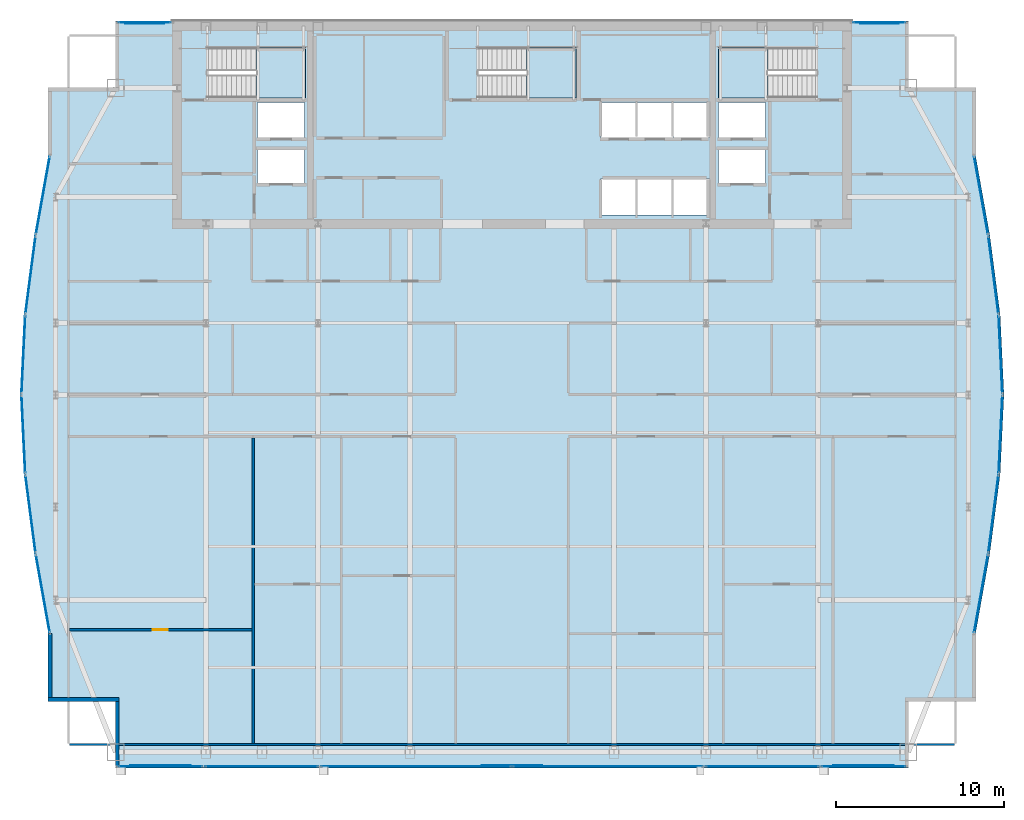
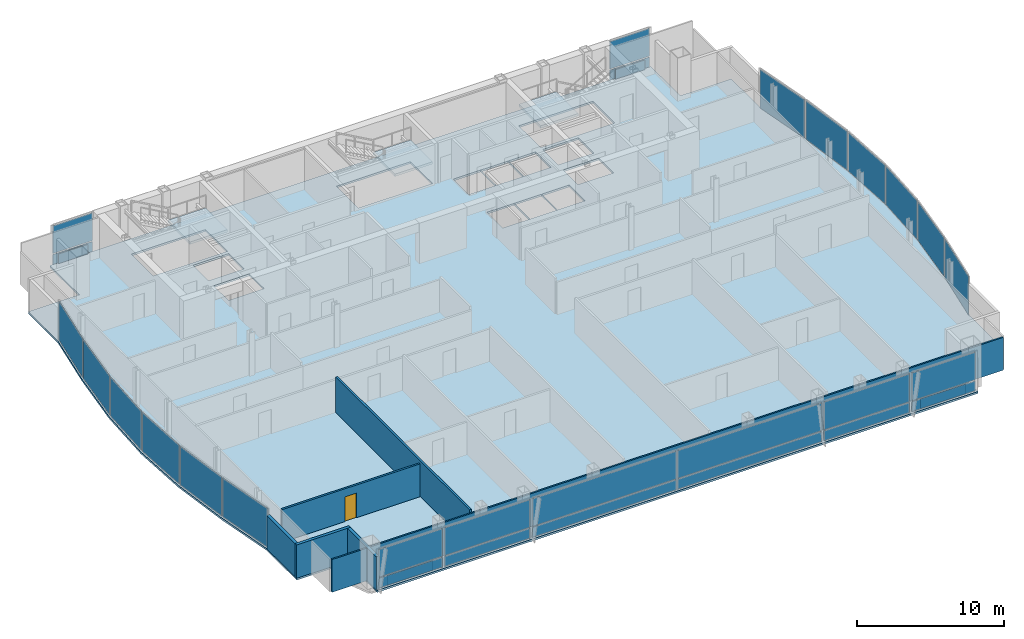
# One storey, part 24 of 30: 33 plates, 6 walls, 4 slabs, 1 door, 1 opening, 22 elements without a shape of their own.
"""IFC4 building model written with IfcOpenShell, lengths in metres."""

from ifc_helpers import new_model, si_unit, direction, frame, frame_2d, origin, origin_2d, place, context, subcontext, project, spatial, polyline, rectangle, outline, extrude, material, layer, layer_set, type_object, element, fill, aggregate, save


model = new_model("IFC4")

# Units and contexts
model_context = context("Model", 3, precision=1e-05, world=origin(), true_north=direction((0.0, 1.0)))
body_context = subcontext(model_context, "Body", "Model", "MODEL_VIEW")
ifc_project = project(units=[si_unit("LENGTHUNIT", "METRE"), si_unit("AREAUNIT", "SQUARE_METRE"), si_unit("VOLUMEUNIT", "CUBIC_METRE"), si_unit("PLANEANGLEUNIT", "RADIAN"), si_unit("MASSUNIT", "GRAM", prefix="KILO")], contexts=[model_context])

# Site, building, storey
site_placement = place(None, origin())
site = spatial("IfcSite", under=ifc_project, at=site_placement, CompositionType="ELEMENT")
building_placement = place(site_placement, origin())
building = spatial("IfcBuilding", under=site, at=building_placement, Name="Khoronbel Lancet Exchange", CompositionType="ELEMENT")
storey_placement = place(building_placement, frame((0.0, 0.0, 253.39990234375)))
storey = spatial("IfcBuildingStorey", under=building, at=storey_placement, Name="L65", CompositionType="ELEMENT", Elevation=253.39990234375)

# Curtain wall, plate
ifc_material_1 = material(Name="Low-E Solar Control Insulating Glass", Category="glass")
curtain_wall_type_1 = type_object("IfcCurtainWallType", Name="CW-4", PredefinedType="NOTDEFINED", material=ifc_material_1)
curtain_wall_1_placement = place(storey_placement, origin())
curtain_wall_1 = element("IfcCurtainWall", 1, at=curtain_wall_1_placement, inside=storey, type_object=curtain_wall_type_1, Name="Unitised curtain wall CW-L65-E05", PredefinedType="NOTDEFINED")
ifc_material_2 = material(Name="Bronze-Anodised Aluminium 6063-T6", Category="aluminium")
ifc_layer_1 = layer(ifc_material_2, 0.050048828125, Name="Bronze-Anodised Aluminium 6063-T6")
ifc_layer_set_1 = layer_set([ifc_layer_1], Name="Bronze-Anodised Aluminium 6063-T6")
plate_type_1 = type_object("IfcPlateType", Name="PLT-CSP1", PredefinedType="SHEET", material=ifc_layer_set_1)
plate_1_placement = place(storey_placement, frame((7.780517578125, 24.3359375, 0.085205078125), z_axis=(0.0, 0.0, 1.0), x_axis=(-0.129645653456, 0.991560388751, 0.0)))
plate_1 = element("IfcPlate", 2, at=plate_1_placement, type_object=plate_type_1, Name="CW4 panel 1.1", PredefinedType="CURTAIN_PANEL", context=body_context, shape_type="SweptSolid", body=[
    extrude(rectangle(XDim=4.634521484375, YDim=0.0380859375, at=origin_2d()), origin(), (0.0, 0.0, 1.0), 3.2099609375),
])
aggregate(curtain_wall_1, [plate_1])

curtain_wall_2_placement = place(storey_placement, origin())
curtain_wall_2 = element("IfcCurtainWall", 3, at=curtain_wall_2_placement, inside=storey, type_object=curtain_wall_type_1, Name="Unitised curtain wall CW-L65-E06", PredefinedType="NOTDEFINED")
plate_2_placement = place(storey_placement, frame((7.35693359375, 29.0791015625, 0.085205078125), z_axis=(0.0, 0.0, 1.0), x_axis=(-0.047794326923, 0.998857198159, 0.0)))
plate_2 = element("IfcPlate", 4, at=plate_2_placement, type_object=plate_type_1, Name="CW4 panel 1.1", PredefinedType="CURTAIN_PANEL", context=body_context, shape_type="SweptSolid", body=[
    extrude(rectangle(XDim=4.597412109375, YDim=0.0380859375, at=origin_2d()), origin(), (0.0, 0.0, 1.0), 3.2099609375),
])
aggregate(curtain_wall_2, [plate_2])

curtain_wall_3_placement = place(storey_placement, origin())
curtain_wall_3 = element("IfcCurtainWall", 5, at=curtain_wall_3_placement, inside=storey, type_object=curtain_wall_type_1, Name="Unitised curtain wall CW-L65-E07", PredefinedType="NOTDEFINED")
plate_3_placement = place(storey_placement, frame((7.35693359375, 33.821044921875, 0.085205078125), z_axis=(0.0, 0.0, 1.0), x_axis=(0.047794326923, 0.998857198159, 0.0)))
plate_3 = element("IfcPlate", 6, at=plate_3_placement, type_object=plate_type_1, Name="CW4 panel 1.1", PredefinedType="CURTAIN_PANEL", context=body_context, shape_type="SweptSolid", body=[
    extrude(rectangle(XDim=4.597412109375, YDim=0.0380859375, at=origin_2d()), origin(), (0.0, 0.0, 1.0), 3.2099609375),
])
aggregate(curtain_wall_3, [plate_3])

curtain_wall_4_placement = place(storey_placement, origin())
curtain_wall_4 = element("IfcCurtainWall", 7, at=curtain_wall_4_placement, inside=storey, type_object=curtain_wall_type_1, Name="Unitised curtain wall CW-L65-E08", PredefinedType="NOTDEFINED")
plate_4_placement = place(storey_placement, frame((7.780517578125, 38.564208984375, 0.085205078125), z_axis=(0.0, 0.0, 1.0), x_axis=(0.129645653456, 0.991560388751, 0.0)))
plate_4 = element("IfcPlate", 8, at=plate_4_placement, type_object=plate_type_1, Name="CW4 panel 1.1", PredefinedType="CURTAIN_PANEL", context=body_context, shape_type="SweptSolid", body=[
    extrude(rectangle(XDim=4.634521484375, YDim=0.0380859375, at=origin_2d()), origin(), (0.0, 0.0, 1.0), 3.2099609375),
])
aggregate(curtain_wall_4, [plate_4])

curtain_wall_type_2 = type_object("IfcCurtainWallType", Name="CW-3", PredefinedType="NOTDEFINED", material=ifc_material_1)
curtain_wall_5_placement = place(storey_placement, origin())
curtain_wall_5 = element("IfcCurtainWall", 9, at=curtain_wall_5_placement, inside=storey, type_object=curtain_wall_type_2, Name="Unitised curtain wall CW-L65-NWFLK", PredefinedType="NOTDEFINED")
plate_5_placement = place(storey_placement, frame((14.580078125, 53.550048828125, 0.05029296875), z_axis=(0.0, 0.0, 1.0), x_axis=(-1.0, 0.0, 0.0)))
plate_5 = element("IfcPlate", 10, at=plate_5_placement, type_object=plate_type_1, Name="Insulated bronze spandrel cassette CW-L65-NWFLK", PredefinedType="SHEET", context=body_context, shape_type="SweptSolid", body=[
    extrude(rectangle(XDim=2.2958984375, YDim=0.050048828125, at=origin_2d()), origin(), (0.0, 0.0, 1.0), 0.800048828125),
])

curtain_wall_6_placement = place(storey_placement, origin())
curtain_wall_6 = element("IfcCurtainWall", 11, at=curtain_wall_6_placement, inside=storey, type_object=curtain_wall_type_2, Name="Unitised curtain wall CW-L65-NEFLK", PredefinedType="NOTDEFINED")
plate_6_placement = place(storey_placement, frame((58.320068359375, 53.550048828125, 0.05029296875), z_axis=(0.0, 0.0, 1.0), x_axis=(-1.0, 0.0, 0.0)))
plate_6 = element("IfcPlate", 12, at=plate_6_placement, type_object=plate_type_1, Name="Insulated bronze spandrel cassette CW-L65-NEFLK", PredefinedType="SHEET", context=body_context, shape_type="SweptSolid", body=[
    extrude(rectangle(XDim=2.2958984375, YDim=0.050048828125, at=origin_2d()), origin(), (0.0, 0.0, 1.0), 0.800048828125),
])

curtain_wall_7_placement = place(storey_placement, origin())
curtain_wall_7 = element("IfcCurtainWall", 13, at=curtain_wall_7_placement, inside=storey, type_object=curtain_wall_type_1, Name="Unitised curtain wall CW-L65-E18", PredefinedType="NOTDEFINED")
plate_7_placement = place(storey_placement, frame((65.119384765625, 38.564208984375, 0.085205078125), z_axis=(0.0, 0.0, 1.0), x_axis=(0.129645653456, -0.991560388751, 0.0)))
plate_7 = element("IfcPlate", 14, at=plate_7_placement, type_object=plate_type_1, Name="CW4 panel 1.1", PredefinedType="CURTAIN_PANEL", context=body_context, shape_type="SweptSolid", body=[
    extrude(rectangle(XDim=4.634521484375, YDim=0.0380859375, at=origin_2d()), origin(), (0.0, 0.0, 1.0), 3.2099609375),
])
aggregate(curtain_wall_7, [plate_7])

curtain_wall_8_placement = place(storey_placement, origin())
curtain_wall_8 = element("IfcCurtainWall", 15, at=curtain_wall_8_placement, inside=storey, type_object=curtain_wall_type_1, Name="Unitised curtain wall CW-L65-E19", PredefinedType="NOTDEFINED")
plate_8_placement = place(storey_placement, frame((65.54296875, 33.821044921875, 0.085205078125), z_axis=(0.0, 0.0, 1.0), x_axis=(0.047794326923, -0.998857198159, 0.0)))
plate_8 = element("IfcPlate", 16, at=plate_8_placement, type_object=plate_type_1, Name="CW4 panel 1.1", PredefinedType="CURTAIN_PANEL", context=body_context, shape_type="SweptSolid", body=[
    extrude(rectangle(XDim=4.597412109375, YDim=0.0380859375, at=origin_2d()), origin(), (0.0, 0.0, 1.0), 3.2099609375),
])
aggregate(curtain_wall_8, [plate_8])

curtain_wall_9_placement = place(storey_placement, origin())
curtain_wall_9 = element("IfcCurtainWall", 17, at=curtain_wall_9_placement, inside=storey, type_object=curtain_wall_type_1, Name="Unitised curtain wall CW-L65-E20", PredefinedType="NOTDEFINED")
plate_9_placement = place(storey_placement, frame((65.54296875, 29.0791015625, 0.085205078125), z_axis=(0.0, 0.0, 1.0), x_axis=(-0.047794326923, -0.998857198159, 0.0)))
plate_9 = element("IfcPlate", 18, at=plate_9_placement, type_object=plate_type_1, Name="CW4 panel 1.1", PredefinedType="CURTAIN_PANEL", context=body_context, shape_type="SweptSolid", body=[
    extrude(rectangle(XDim=4.597412109375, YDim=0.0380859375, at=origin_2d()), origin(), (0.0, 0.0, 1.0), 3.2099609375),
])
aggregate(curtain_wall_9, [plate_9])

curtain_wall_10_placement = place(storey_placement, origin())
curtain_wall_10 = element("IfcCurtainWall", 19, at=curtain_wall_10_placement, inside=storey, type_object=curtain_wall_type_1, Name="Unitised curtain wall CW-L65-E21", PredefinedType="NOTDEFINED")
plate_10_placement = place(storey_placement, frame((65.119384765625, 24.3359375, 0.085205078125), z_axis=(0.0, 0.0, 1.0), x_axis=(-0.129645653456, -0.991560388751, 0.0)))
plate_10 = element("IfcPlate", 20, at=plate_10_placement, type_object=plate_type_1, Name="CW4 panel 1.1", PredefinedType="CURTAIN_PANEL", context=body_context, shape_type="SweptSolid", body=[
    extrude(rectangle(XDim=4.634521484375, YDim=0.0380859375, at=origin_2d()), origin(), (0.0, 0.0, 1.0), 3.2099609375),
])
aggregate(curtain_wall_10, [plate_10])

curtain_wall_11_placement = place(storey_placement, origin())
curtain_wall_11 = element("IfcCurtainWall", 21, at=curtain_wall_11_placement, inside=storey, type_object=curtain_wall_type_2, Name="Unitised curtain wall CW-L65-SWV", PredefinedType="NOTDEFINED")
plate_11_placement = place(storey_placement, frame((15.52001953125, 9.35009765625, 0.05029296875), z_axis=(0.0, 0.0, 1.0), x_axis=(1.0, 0.0, 0.0)))
plate_11 = element("IfcPlate", 22, at=plate_11_placement, type_object=plate_type_1, Name="Insulated bronze spandrel cassette CW-L65-SWV", PredefinedType="SHEET", context=body_context, shape_type="SweptSolid", body=[
    extrude(rectangle(XDim=3.60009765625, YDim=0.050048828125, at=origin_2d()), origin(), (0.0, 0.0, 1.0), 0.800048828125),
])

# Curtain wall, plates
curtain_wall_12_placement = place(storey_placement, origin())
curtain_wall_12 = element("IfcCurtainWall", 23, at=curtain_wall_12_placement, inside=storey, type_object=curtain_wall_type_2, Name="Unitised curtain wall CW-L65-SWB", PredefinedType="NOTDEFINED")
plate_12_placement = place(storey_placement, frame((21.550048828125, 9.2900390625, 0.0849609375), z_axis=(0.0, 0.0, 1.0), x_axis=(1.0, 0.0, 0.0)))
plate_12 = element("IfcPlate", 24, at=plate_12_placement, type_object=plate_type_1, Name="CW3 panel 1.1", PredefinedType="CURTAIN_PANEL", context=body_context, shape_type="SweptSolid", body=[
    extrude(rectangle(XDim=6.72998046875, YDim=0.0380859375, at=origin_2d()), origin(), (0.0, 0.0, 1.0), 0.822509765625),
])
plate_13_placement = place(storey_placement, frame((21.550048828125, 9.2900390625, 0.99267578125), z_axis=(0.0, 0.0, 1.0), x_axis=(1.0, 0.0, 0.0)))
plate_13 = element("IfcPlate", 25, at=plate_13_placement, type_object=plate_type_1, Name="CW3 panel 1.2", PredefinedType="CURTAIN_PANEL", context=body_context, shape_type="SweptSolid", body=[
    extrude(rectangle(XDim=6.72998046875, YDim=0.0380859375, at=origin_2d()), origin(), (0.0, 0.0, 1.0), 2.302490234375),
])
aggregate(curtain_wall_12, [plate_12, plate_13])

# Curtain wall, plate
curtain_wall_13_placement = place(storey_placement, origin())
curtain_wall_13 = element("IfcCurtainWall", 26, at=curtain_wall_13_placement, inside=storey, type_object=curtain_wall_type_2, Name="Unitised curtain wall CW-L65-SCV", PredefinedType="NOTDEFINED")
plate_14_placement = place(storey_placement, frame((36.449951171875, 9.35009765625, 0.05029296875), z_axis=(0.0, 0.0, 1.0), x_axis=(1.0, 0.0, 0.0)))
plate_14 = element("IfcPlate", 27, at=plate_14_placement, type_object=plate_type_1, Name="Insulated bronze spandrel cassette CW-L65-SCV", PredefinedType="SHEET", context=body_context, shape_type="SweptSolid", body=[
    extrude(rectangle(XDim=3.60009765625, YDim=0.050048828125, at=origin_2d()), origin(), (0.0, 0.0, 1.0), 0.800048828125),
])

# Curtain wall, plates
curtain_wall_14_placement = place(storey_placement, origin())
curtain_wall_14 = element("IfcCurtainWall", 28, at=curtain_wall_14_placement, inside=storey, type_object=curtain_wall_type_2, Name="Unitised curtain wall CW-L65-SEB", PredefinedType="NOTDEFINED")
plate_15_placement = place(storey_placement, frame((51.35009765625, 9.2900390625, 0.0849609375), z_axis=(0.0, 0.0, 1.0), x_axis=(1.0, 0.0, 0.0)))
plate_15 = element("IfcPlate", 29, at=plate_15_placement, type_object=plate_type_1, Name="CW3 panel 1.1", PredefinedType="CURTAIN_PANEL", context=body_context, shape_type="SweptSolid", body=[
    extrude(rectangle(XDim=6.72998046875, YDim=0.0380859375, at=origin_2d()), origin(), (0.0, 0.0, 1.0), 0.822509765625),
])
plate_16_placement = place(storey_placement, frame((51.35009765625, 9.2900390625, 0.99267578125), z_axis=(0.0, 0.0, 1.0), x_axis=(1.0, 0.0, 0.0)))
plate_16 = element("IfcPlate", 30, at=plate_16_placement, type_object=plate_type_1, Name="CW3 panel 1.2", PredefinedType="CURTAIN_PANEL", context=body_context, shape_type="SweptSolid", body=[
    extrude(rectangle(XDim=6.72998046875, YDim=0.0380859375, at=origin_2d()), origin(), (0.0, 0.0, 1.0), 2.302490234375),
])
aggregate(curtain_wall_14, [plate_15, plate_16])

# Curtain wall, plate
curtain_wall_15_placement = place(storey_placement, origin())
curtain_wall_15 = element("IfcCurtainWall", 31, at=curtain_wall_15_placement, inside=storey, type_object=curtain_wall_type_2, Name="Unitised curtain wall CW-L65-SEV", PredefinedType="NOTDEFINED")
plate_17_placement = place(storey_placement, frame((57.3798828125, 9.35009765625, 0.05029296875), z_axis=(0.0, 0.0, 1.0), x_axis=(1.0, 0.0, 0.0)))
plate_17 = element("IfcPlate", 32, at=plate_17_placement, type_object=plate_type_1, Name="Insulated bronze spandrel cassette CW-L65-SEV", PredefinedType="SHEET", context=body_context, shape_type="SweptSolid", body=[
    extrude(rectangle(XDim=3.60009765625, YDim=0.050048828125, at=origin_2d()), origin(), (0.0, 0.0, 1.0), 0.800048828125),
])

# Plate
ifc_layer_2 = layer(ifc_material_1, 0.035888671875, Name="Low-E Solar Control Insulating Glass")
ifc_layer_set_2 = layer_set([ifc_layer_2], Name="Low-E Solar Control Insulating Glass")
plate_type_2 = type_object("IfcPlateType", Name="PLT-CWP1", PredefinedType="CURTAIN_PANEL", material=ifc_layer_set_2)
plate_18_placement = place(storey_placement, frame((14.580078125, 53.610107421875, 0.0849609375), z_axis=(0.0, 0.0, 1.0), x_axis=(-1.0, 0.0, 0.0)))
plate_18 = element("IfcPlate", 33, at=plate_18_placement, type_object=plate_type_2, Name="CW3 panel 1.1", PredefinedType="CURTAIN_PANEL", context=body_context, shape_type="SweptSolid", body=[
    extrude(rectangle(XDim=3.110107421875, YDim=0.0380859375, at=origin_2d()), origin(), (0.0, 0.0, 1.0), 0.822509765625),
])

plate_19_placement = place(storey_placement, frame((14.580078125, 53.610107421875, 0.99267578125), z_axis=(0.0, 0.0, 1.0), x_axis=(-1.0, 0.0, 0.0)))
plate_19 = element("IfcPlate", 34, at=plate_19_placement, type_object=plate_type_2, Name="CW3 panel 1.2", PredefinedType="CURTAIN_PANEL", context=body_context, shape_type="SweptSolid", body=[
    extrude(rectangle(XDim=3.110107421875, YDim=0.0380859375, at=origin_2d()), origin(), (0.0, 0.0, 1.0), 2.302490234375),
])

aggregate(curtain_wall_5, [plate_18, plate_19, plate_5])

plate_20_placement = place(storey_placement, frame((58.320068359375, 53.610107421875, 0.0849609375), z_axis=(0.0, 0.0, 1.0), x_axis=(-1.0, 0.0, 0.0)))
plate_20 = element("IfcPlate", 35, at=plate_20_placement, type_object=plate_type_2, Name="CW3 panel 1.1", PredefinedType="CURTAIN_PANEL", context=body_context, shape_type="SweptSolid", body=[
    extrude(rectangle(XDim=3.110107421875, YDim=0.0380859375, at=origin_2d()), origin(), (0.0, 0.0, 1.0), 0.822509765625),
])

plate_21_placement = place(storey_placement, frame((58.320068359375, 53.610107421875, 0.99267578125), z_axis=(0.0, 0.0, 1.0), x_axis=(-1.0, 0.0, 0.0)))
plate_21 = element("IfcPlate", 36, at=plate_21_placement, type_object=plate_type_2, Name="CW3 panel 1.2", PredefinedType="CURTAIN_PANEL", context=body_context, shape_type="SweptSolid", body=[
    extrude(rectangle(XDim=3.110107421875, YDim=0.0380859375, at=origin_2d()), origin(), (0.0, 0.0, 1.0), 2.302490234375),
])

aggregate(curtain_wall_6, [plate_20, plate_21, plate_6])

plate_22_placement = place(storey_placement, frame((15.52001953125, 9.2900390625, 0.0849609375), z_axis=(0.0, 0.0, 1.0), x_axis=(1.0, 0.0, 0.0)))
plate_22 = element("IfcPlate", 37, at=plate_22_placement, type_object=plate_type_2, Name="CW3 panel 1.1", PredefinedType="CURTAIN_PANEL", context=body_context, shape_type="SweptSolid", body=[
    extrude(rectangle(XDim=4.989990234375, YDim=0.0380859375, at=origin_2d()), origin(), (0.0, 0.0, 1.0), 0.822509765625),
])

plate_23_placement = place(storey_placement, frame((15.52001953125, 9.2900390625, 0.99267578125), z_axis=(0.0, 0.0, 1.0), x_axis=(1.0, 0.0, 0.0)))
plate_23 = element("IfcPlate", 38, at=plate_23_placement, type_object=plate_type_2, Name="CW3 panel 1.2", PredefinedType="CURTAIN_PANEL", context=body_context, shape_type="SweptSolid", body=[
    extrude(rectangle(XDim=4.989990234375, YDim=0.0380859375, at=origin_2d()), origin(), (0.0, 0.0, 1.0), 2.302490234375),
])

aggregate(curtain_wall_11, [plate_22, plate_23, plate_11])

plate_24_placement = place(storey_placement, frame((30.746337890625, 9.2900390625, 0.0849609375), z_axis=(0.0, 0.0, 1.0), x_axis=(1.0, 0.0, 0.0)))
plate_24 = element("IfcPlate", 39, at=plate_24_placement, type_object=plate_type_2, Name="CW3 panel 1.1", PredefinedType="CURTAIN_PANEL", context=body_context, shape_type="SweptSolid", body=[
    extrude(rectangle(XDim=11.322509765625, YDim=0.0380859375, at=origin_2d()), origin(), (0.0, 0.0, 1.0), 0.822509765625),
])

plate_25_placement = place(storey_placement, frame((30.746337890625, 9.2900390625, 0.99267578125), z_axis=(0.0, 0.0, 1.0), x_axis=(1.0, 0.0, 0.0)))
plate_25 = element("IfcPlate", 40, at=plate_25_placement, type_object=plate_type_2, Name="CW3 panel 1.2", PredefinedType="CURTAIN_PANEL", context=body_context, shape_type="SweptSolid", body=[
    extrude(rectangle(XDim=11.322509765625, YDim=0.0380859375, at=origin_2d()), origin(), (0.0, 0.0, 1.0), 2.302490234375),
])

plate_26_placement = place(storey_placement, frame((42.15380859375, 9.2900390625, 0.0849609375), z_axis=(0.0, 0.0, 1.0), x_axis=(1.0, 0.0, 0.0)))
plate_26 = element("IfcPlate", 41, at=plate_26_placement, type_object=plate_type_2, Name="CW3 panel 2.1", PredefinedType="CURTAIN_PANEL", context=body_context, shape_type="SweptSolid", body=[
    extrude(rectangle(XDim=11.322509765625, YDim=0.0380859375, at=origin_2d()), origin(), (0.0, 0.0, 1.0), 0.822509765625),
])

plate_27_placement = place(storey_placement, frame((42.15380859375, 9.2900390625, 0.99267578125), z_axis=(0.0, 0.0, 1.0), x_axis=(1.0, 0.0, 0.0)))
plate_27 = element("IfcPlate", 42, at=plate_27_placement, type_object=plate_type_2, Name="CW3 panel 2.2", PredefinedType="CURTAIN_PANEL", context=body_context, shape_type="SweptSolid", body=[
    extrude(rectangle(XDim=11.322509765625, YDim=0.0380859375, at=origin_2d()), origin(), (0.0, 0.0, 1.0), 2.302490234375),
])

aggregate(curtain_wall_13, [plate_24, plate_25, plate_26, plate_27, plate_14])

plate_28_placement = place(storey_placement, frame((57.3798828125, 9.2900390625, 0.0849609375), z_axis=(0.0, 0.0, 1.0), x_axis=(1.0, 0.0, 0.0)))
plate_28 = element("IfcPlate", 43, at=plate_28_placement, type_object=plate_type_2, Name="CW3 panel 1.1", PredefinedType="CURTAIN_PANEL", context=body_context, shape_type="SweptSolid", body=[
    extrude(rectangle(XDim=4.989990234375, YDim=0.0380859375, at=origin_2d()), origin(), (0.0, 0.0, 1.0), 0.822509765625),
])

plate_29_placement = place(storey_placement, frame((57.3798828125, 9.2900390625, 0.99267578125), z_axis=(0.0, 0.0, 1.0), x_axis=(1.0, 0.0, 0.0)))
plate_29 = element("IfcPlate", 44, at=plate_29_placement, type_object=plate_type_2, Name="CW3 panel 1.2", PredefinedType="CURTAIN_PANEL", context=body_context, shape_type="SweptSolid", body=[
    extrude(rectangle(XDim=4.989990234375, YDim=0.0380859375, at=origin_2d()), origin(), (0.0, 0.0, 1.0), 2.302490234375),
])

aggregate(curtain_wall_15, [plate_28, plate_29, plate_17])

# Curtain wall, plate
curtain_wall_16_placement = place(storey_placement, origin())
curtain_wall_16 = element("IfcCurtainWall", 45, at=curtain_wall_16_placement, inside=storey, type_object=curtain_wall_type_1, Name="Unitised curtain wall CW-L65-E04", PredefinedType="NOTDEFINED")
ifc_material_3 = material(Name="Ceramic-Fritted Laminated Insulating Glass", Category="glass")
ifc_layer_3 = layer(ifc_material_3, 0.0419921875, Name="Ceramic-Fritted Laminated Insulating Glass")
ifc_layer_set_3 = layer_set([ifc_layer_3], Name="Ceramic-Fritted Laminated Insulating Glass")
plate_type_3 = type_object("IfcPlateType", Name="PLT-CWP2", PredefinedType="CURTAIN_PANEL", material=ifc_layer_set_3)
plate_30_placement = place(storey_placement, frame((8.515380859375, 19.5859375, 0.085205078125), z_axis=(0.0, 0.0, 1.0), x_axis=(-0.175800668376, 0.984425784404, 0.0)))
plate_30 = element("IfcPlate", 46, at=plate_30_placement, type_object=plate_type_3, Name="CW4 panel 1.1", PredefinedType="CURTAIN_PANEL", context=body_context, shape_type="SweptSolid", body=[
    extrude(rectangle(XDim=4.68115234375, YDim=0.0380859375, at=origin_2d()), origin(), (0.0, 0.0, 1.0), 3.2099609375),
])
aggregate(curtain_wall_16, [plate_30])

curtain_wall_17_placement = place(storey_placement, origin())
curtain_wall_17 = element("IfcCurtainWall", 47, at=curtain_wall_17_placement, inside=storey, type_object=curtain_wall_type_1, Name="Unitised curtain wall CW-L65-E09", PredefinedType="NOTDEFINED")
plate_31_placement = place(storey_placement, frame((8.515380859375, 43.314208984375, 0.085205078125), z_axis=(0.0, 0.0, 1.0), x_axis=(0.175800668376, 0.984425784404, 0.0)))
plate_31 = element("IfcPlate", 48, at=plate_31_placement, type_object=plate_type_3, Name="CW4 panel 1.1", PredefinedType="CURTAIN_PANEL", context=body_context, shape_type="SweptSolid", body=[
    extrude(rectangle(XDim=4.68115234375, YDim=0.0380859375, at=origin_2d()), origin(), (0.0, 0.0, 1.0), 3.2099609375),
])
aggregate(curtain_wall_17, [plate_31])

curtain_wall_18_placement = place(storey_placement, origin())
curtain_wall_18 = element("IfcCurtainWall", 49, at=curtain_wall_18_placement, inside=storey, type_object=curtain_wall_type_1, Name="Unitised curtain wall CW-L65-E17", PredefinedType="NOTDEFINED")
plate_32_placement = place(storey_placement, frame((64.384765625, 43.314208984375, 0.085205078125), z_axis=(0.0, 0.0, 1.0), x_axis=(0.175800668376, -0.984425784404, 0.0)))
plate_32 = element("IfcPlate", 50, at=plate_32_placement, type_object=plate_type_3, Name="CW4 panel 1.1", PredefinedType="CURTAIN_PANEL", context=body_context, shape_type="SweptSolid", body=[
    extrude(rectangle(XDim=4.68115234375, YDim=0.0380859375, at=origin_2d()), origin(), (0.0, 0.0, 1.0), 3.2099609375),
])
aggregate(curtain_wall_18, [plate_32])

curtain_wall_19_placement = place(storey_placement, origin())
curtain_wall_19 = element("IfcCurtainWall", 51, at=curtain_wall_19_placement, inside=storey, type_object=curtain_wall_type_1, Name="Unitised curtain wall CW-L65-E22", PredefinedType="NOTDEFINED")
plate_33_placement = place(storey_placement, frame((64.384765625, 19.5859375, 0.085205078125), z_axis=(0.0, 0.0, 1.0), x_axis=(-0.175800668376, -0.984425784404, 0.0)))
plate_33 = element("IfcPlate", 52, at=plate_33_placement, type_object=plate_type_3, Name="CW4 panel 1.1", PredefinedType="CURTAIN_PANEL", context=body_context, shape_type="SweptSolid", body=[
    extrude(rectangle(XDim=4.68115234375, YDim=0.0380859375, at=origin_2d()), origin(), (0.0, 0.0, 1.0), 3.2099609375),
])
aggregate(curtain_wall_19, [plate_33])

# Slab
ifc_material_4 = material(Name="Concrete C40/50", Category="concrete")
ifc_layer_4 = layer(ifc_material_4, 0.159912109375, Name="Concrete C40/50")
ifc_layer_set_4 = layer_set([ifc_layer_4], Name="Concrete C40/50")
slab_type_1 = type_object("IfcSlabType", Name="SL-FL160", PredefinedType="FLOOR", material=ifc_layer_set_4)
slab_1_placement = place(storey_placement, frame((0.0, 0.0, -0.159912109375)))
element("IfcSlab", 53, at=slab_1_placement, inside=storey, type_object=slab_type_1, Name="Level L65 composite structural floor slab", PredefinedType="FLOOR", context=body_context, shape_type="SweptSolid", body=[
    extrude(outline(polyline([(12.85009765625, 9.199951171875), (60.050048828125, 9.199951171875), (60.050048828125, 13.199951171875), (64.050048828125, 13.199951171875), (64.050048828125, 17.199951171875), (64.898193359375, 21.949951171875), (65.519287109375, 26.699951171875), (65.74658203125, 31.449951171875), (65.519287109375, 36.199951171875), (64.898193359375, 40.949951171875), (64.050048828125, 45.699951171875), (64.050048828125, 49.699951171875), (60.050048828125, 49.699951171875), (60.050048828125, 53.699951171875), (12.85009765625, 53.699951171875), (12.85009765625, 49.699951171875), (8.85009765625, 49.699951171875), (8.85009765625, 45.699951171875), (8.001708984375, 40.949951171875), (7.380615234375, 36.199951171875), (7.1533203125, 31.449951171875), (7.380615234375, 26.699951171875), (8.001708984375, 21.949951171875), (8.85009765625, 17.199951171875), (8.85009765625, 13.199951171875), (12.85009765625, 13.199951171875), (12.85009765625, 9.199951171875)]), holes=[polyline([(18.324951171875, 49.1201171875), (24.14990234375, 49.1201171875), (24.14990234375, 52.10009765625), (18.324951171875, 52.10009765625), (18.324951171875, 49.1201171875)]), polyline([(48.75, 49.1201171875), (54.574951171875, 49.1201171875), (54.574951171875, 52.10009765625), (48.75, 52.10009765625), (48.75, 49.1201171875)]), polyline([(34.425048828125, 49.1201171875), (40.25, 49.1201171875), (40.25, 52.10009765625), (34.425048828125, 52.10009765625), (34.425048828125, 49.1201171875)]), polyline([(41.739990234375, 46.75), (43.8798828125, 46.75), (43.8798828125, 48.85009765625), (41.739990234375, 48.85009765625), (41.739990234375, 46.75)]), polyline([(43.89990234375, 46.75), (46.0400390625, 46.75), (46.0400390625, 48.85009765625), (43.89990234375, 48.85009765625), (43.89990234375, 46.75)]), polyline([(46.06005859375, 46.75), (48.199951171875, 46.75), (48.199951171875, 48.85009765625), (46.06005859375, 48.85009765625), (46.06005859375, 46.75)]), polyline([(41.739990234375, 42.14990234375), (43.8798828125, 42.14990234375), (43.8798828125, 44.300048828125), (41.739990234375, 44.300048828125), (41.739990234375, 42.14990234375)]), polyline([(43.89990234375, 42.14990234375), (46.0400390625, 42.14990234375), (46.0400390625, 44.300048828125), (43.89990234375, 44.300048828125), (43.89990234375, 42.14990234375)]), polyline([(46.06005859375, 42.14990234375), (48.199951171875, 42.14990234375), (48.199951171875, 44.300048828125), (46.06005859375, 44.300048828125), (46.06005859375, 42.14990234375)]), polyline([(21.300048828125, 46.75), (24.10009765625, 46.75), (24.10009765625, 48.85009765625), (21.300048828125, 48.85009765625), (21.300048828125, 46.75)]), polyline([(48.75, 46.75), (51.550048828125, 46.75), (51.550048828125, 48.85009765625), (48.75, 48.85009765625), (48.75, 46.75)]), polyline([(21.300048828125, 44.050048828125), (24.10009765625, 44.050048828125), (24.10009765625, 46.050048828125), (21.300048828125, 46.050048828125), (21.300048828125, 44.050048828125)]), polyline([(48.75, 44.050048828125), (51.550048828125, 44.050048828125), (51.550048828125, 46.050048828125), (48.75, 46.050048828125), (48.75, 44.050048828125)])]), origin(), (0.0, 0.0, 1.0), 0.159912109375),
])

# Stair, slab
stair_type = type_object("IfcStairType", Name="STR-CORE150", PredefinedType="HALF_TURN_STAIR", material=ifc_material_4)
stair_1_placement = place(storey_placement, origin())
stair_1 = element("IfcStair", 54, at=stair_1_placement, inside=storey, type_object=stair_type, Name="L65 Protected Exit Stair ST1", PredefinedType="HALF_TURN_STAIR")
ifc_layer_5 = layer(ifc_material_4, 0.199951171875, Name="Concrete C40/50")
ifc_layer_set_5 = layer_set([ifc_layer_5], Name="Concrete C40/50")
slab_type_2 = type_object("IfcSlabType", Name="SL-LND180", PredefinedType="LANDING", material=ifc_layer_set_5)
slab_2_placement = place(storey_placement, frame((0.0, 0.0, 1.60009765625)))
slab_2 = element("IfcSlab", 55, at=slab_2_placement, type_object=slab_type_2, Name="ST1 landing 1", PredefinedType="LANDING", context=body_context, shape_type="SweptSolid", body=[
    extrude(outline(polyline([(21.199951171875, 49.1201171875), (24.14990234375, 49.1201171875), (24.14990234375, 52.10009765625), (21.199951171875, 52.10009765625), (21.199951171875, 49.1201171875)])), origin(), (0.0, 0.0, 1.0), 0.199951171875),
])
aggregate(stair_1, [slab_2])

stair_2_placement = place(storey_placement, origin())
stair_2 = element("IfcStair", 56, at=stair_2_placement, inside=storey, type_object=stair_type, Name="L65 Protected Exit Stair ST2", PredefinedType="HALF_TURN_STAIR")
slab_3_placement = place(storey_placement, frame((0.0, 0.0, 1.60009765625)))
slab_3 = element("IfcSlab", 57, at=slab_3_placement, type_object=slab_type_2, Name="ST2 landing 1", PredefinedType="LANDING", context=body_context, shape_type="SweptSolid", body=[
    extrude(outline(polyline([(51.699951171875, 52.10009765625), (48.75, 52.10009765625), (48.75, 49.1201171875), (51.699951171875, 49.1201171875), (51.699951171875, 52.10009765625)])), origin(), (0.0, 0.0, 1.0), 0.199951171875),
])
aggregate(stair_2, [slab_3])

stair_3_placement = place(storey_placement, origin())
stair_3 = element("IfcStair", 58, at=stair_3_placement, inside=storey, type_object=stair_type, Name="L65 Protected Exit Stair ST3", PredefinedType="HALF_TURN_STAIR")
slab_4_placement = place(storey_placement, frame((0.0, 0.0, 1.60009765625)))
slab_4 = element("IfcSlab", 59, at=slab_4_placement, type_object=slab_type_2, Name="ST3 landing 1", PredefinedType="LANDING", context=body_context, shape_type="SweptSolid", body=[
    extrude(outline(polyline([(37.300048828125, 49.1201171875), (40.25, 49.1201171875), (40.25, 52.10009765625), (37.300048828125, 52.10009765625), (37.300048828125, 49.1201171875)])), origin(), (0.0, 0.0, 1.0), 0.199951171875),
])
aggregate(stair_3, [slab_4])

# Walls
ifc_material_5 = material(Name="Precast concrete C40/50", Category="concrete")
ifc_layer_6 = layer(ifc_material_5, 0.25, Name="Precast concrete C40/50")
ifc_layer_set_6 = layer_set([ifc_layer_6], Name="Precast concrete C40/50")
wall_type_1 = type_object("IfcWallType", Name="WL-EXT250", PredefinedType="SOLIDWALL", material=ifc_layer_set_6)
wall_1_placement = place(storey_placement, frame((12.93994140625, 9.27001953125, 0.0), z_axis=(0.0, 0.0, 1.0), x_axis=(0.0, 1.0, 0.0)))
element("IfcWall", 60, at=wall_1_placement, inside=storey, type_object=wall_type_1, Name="Level L65 notched-corner limestone pier 01", PredefinedType="SOLIDWALL", context=body_context, shape_type="SweptSolid", body=[
    extrude(rectangle(XDim=3.909912109375, YDim=0.219970703125, at=frame_2d((1.955078125, 0.0))), origin(), (0.0, 0.0, 1.0), 2.77001953125),
])
wall_2_placement = place(storey_placement, frame((13.050048828125, 13.2900390625, 0.0), z_axis=(0.0, 0.0, 1.0), x_axis=(-1.0, 0.0, 0.0)))
element("IfcWall", 61, at=wall_2_placement, inside=storey, type_object=wall_type_1, Name="Level L65 notched-corner limestone pier 02", PredefinedType="SOLIDWALL", context=body_context, shape_type="SweptSolid", body=[
    extrude(rectangle(XDim=4.219970703125, YDim=0.219970703125, at=frame_2d((2.10986328125, 0.0))), origin(), (0.0, 0.0, 1.0), 2.77001953125),
])
wall_3_placement = place(storey_placement, frame((8.93994140625, 13.39990234375, 0.0), z_axis=(0.0, 0.0, 1.0), x_axis=(0.0, 1.0, 0.0)))
element("IfcWall", 62, at=wall_3_placement, inside=storey, type_object=wall_type_1, Name="Level L65 notched-corner limestone pier 03", PredefinedType="SOLIDWALL", context=body_context, shape_type="SweptSolid", body=[
    extrude(rectangle(XDim=3.828125, YDim=0.219970703125, at=frame_2d((1.9140625, 0.0))), origin(), (0.0, 0.0, 1.0), 2.77001953125),
])

# Wall, opening, door
ifc_material_6 = material(Name="Acoustic Metal-Stud & Mineral-Wool Gypsum Partition 120 mm", Category="gypsum")
ifc_layer_7 = layer(ifc_material_6, 0.1201171875, Name="Acoustic Metal-Stud & Mineral-Wool Gypsum Partition 120 mm")
ifc_layer_set_7 = layer_set([ifc_layer_7], Name="Acoustic Metal-Stud & Mineral-Wool Gypsum Partition 120 mm")
wall_type_2 = type_object("IfcWallType", Name="WL-PRT120", PredefinedType="PARTITIONING", material=ifc_layer_set_7)
wall_4_placement = place(storey_placement, frame((10.094970703125, 17.447021484375, 0.0), z_axis=(0.0, 0.0, 1.0), x_axis=(1.0, 0.0, 0.0)))
wall_4 = element("IfcWall", 63, at=wall_4_placement, inside=storey, type_object=wall_type_2, Name="Level L65 interior partition PW-Z3SW-H1", PredefinedType="PARTITIONING", context=body_context, shape_type="SweptSolid", body=[
    extrude(rectangle(XDim=10.86083984375, YDim=0.14990234375, at=frame_2d((5.430419921875, 0.0))), origin(), (0.0, 0.0, 1.0), 2.72021484375),
])
opening_placement = place(wall_4_placement, frame((4.95263671875, 0.0, 0.0)))
opening = element("IfcOpeningElement", 64, at=opening_placement, cuts=wall_4, Name="Opening D5", PredefinedType="OPENING", context=body_context, shape_type="SweptSolid", body=[
    extrude(rectangle(XDim=0.89990234375, YDim=2.050048828125, at=frame_2d((0.449951171875, 1.02490234375))), frame((0.0, 0.0849609375, 0.0), z_axis=(0.0, -1.0, 0.0), x_axis=(1.0, 0.0, 0.0)), (0.0, 0.0, 1.0), 0.169921875),
])
ifc_material_7 = material(Name="Acoustic Timber Pantry & Support Door", Category="wood")
door_type = type_object("IfcDoorType", Name="DR-D5", OperationType="NOTDEFINED", PredefinedType="DOOR", material=ifc_material_7)
door_placement = place(opening_placement, origin())
door = element("IfcDoor", 65, at=door_placement, inside=storey, type_object=door_type, Name="Z3SW inner door 1 L65-1", OperationType="SINGLE_SWING_LEFT", OverallHeight=2.050048828125, OverallWidth=0.89990234375, PredefinedType="DOOR", context=body_context, shape_type="SweptSolid", body=[
    extrude(rectangle(XDim=0.89990234375, YDim=2.050048828125, at=frame_2d((0.449951171875, 1.02490234375))), frame((0.0, 0.02490234375, 0.0), z_axis=(0.0, -1.0, 0.0), x_axis=(1.0, 0.0, 0.0)), (0.0, 0.0, 1.0), 0.050048828125),
])
fill(opening, door)

# Walls
wall_5_placement = place(storey_placement, frame((10.094970703125, 10.60009765625, 0.0), z_axis=(0.0, 0.0, 1.0), x_axis=(1.0, 0.0, 0.0)))
element("IfcWall", 66, at=wall_5_placement, inside=storey, type_object=wall_type_2, Name="Level L65 interior partition PW-LIN-S", PredefinedType="PARTITIONING", context=body_context, shape_type="SweptSolid", body=[
    extrude(rectangle(XDim=52.7099609375, YDim=0.1201171875, at=frame_2d((26.35498046875, 0.0))), origin(), (0.0, 0.0, 1.0), 2.72021484375),
])
ifc_material_8 = material(Name="Fire-Rated Twin-Stud Acoustic Gypsum Partition 150 mm", Category="gypsum")
ifc_layer_8 = layer(ifc_material_8, 0.14990234375, Name="Fire-Rated Twin-Stud Acoustic Gypsum Partition 150 mm")
ifc_layer_set_8 = layer_set([ifc_layer_8], Name="Fire-Rated Twin-Stud Acoustic Gypsum Partition 150 mm")
wall_type_3 = type_object("IfcWallType", Name="WL-PRT150C", PredefinedType="PARTITIONING", material=ifc_layer_set_8)
wall_6_placement = place(storey_placement, frame((21.035888671875, 10.6650390625, 0.0), z_axis=(0.0, 0.0, 1.0), x_axis=(0.0, 1.0, 0.0)))
element("IfcWall", 67, at=wall_6_placement, inside=storey, type_object=wall_type_3, Name="Level L65 interior partition PW-Z3SW-V1", PredefinedType="PARTITIONING", context=body_context, shape_type="SweptSolid", body=[
    extrude(rectangle(XDim=18.199951171875, YDim=0.14990234375, at=frame_2d((9.10009765625, 0.0))), origin(), (0.0, 0.0, 1.0), 2.97021484375),
])

save(model, "model.ifc")
